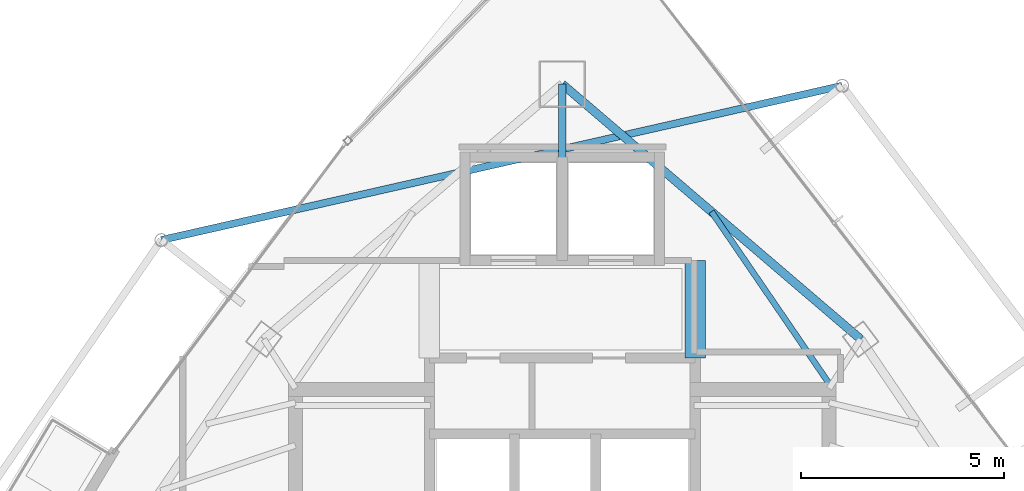
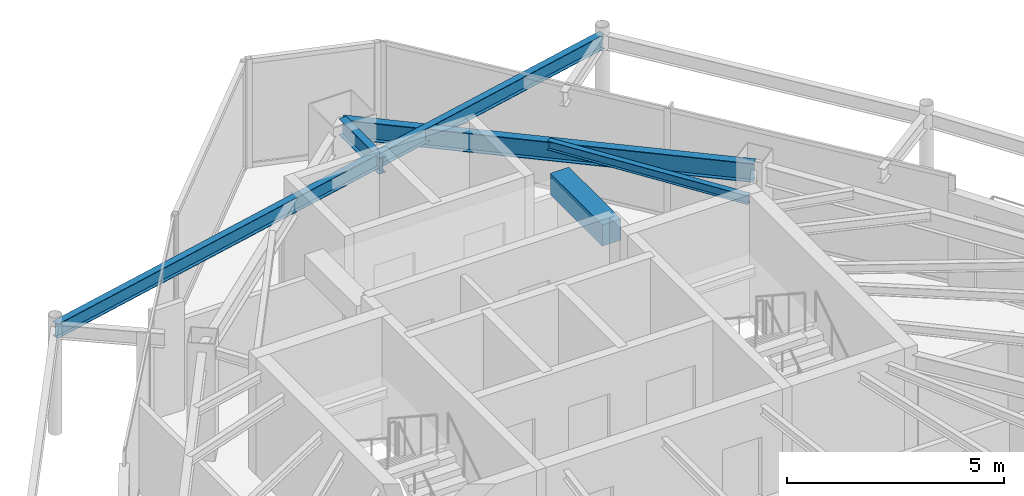
# One storey, part 21 of 28: 5 beams.
"""IFC4 building model written with IfcOpenShell, lengths in metres."""

from ifc_helpers import new_model, si_unit, direction, frame, origin, origin_2d, place, context, subcontext, project, spatial, rectangle, i_section, extrude, material, material_profile, profile_set, type_object, element, save


model = new_model("IFC4")

# Units and contexts
model_context = context("Model", 3, precision=1e-05, world=origin(), true_north=direction((0.0, 1.0)))
body_context = subcontext(model_context, "Body", "Model", "MODEL_VIEW")
ifc_project = project(units=[si_unit("LENGTHUNIT", "METRE"), si_unit("AREAUNIT", "SQUARE_METRE"), si_unit("VOLUMEUNIT", "CUBIC_METRE"), si_unit("PLANEANGLEUNIT", "RADIAN"), si_unit("MASSUNIT", "GRAM", prefix="KILO")], contexts=[model_context])

# Site, building, storey
site_placement = place(None, origin())
site = spatial("IfcSite", under=ifc_project, at=site_placement, CompositionType="ELEMENT")
building_placement = place(site_placement, origin())
building = spatial("IfcBuilding", under=site, at=building_placement, Name="Orvanel Arch Residences", CompositionType="ELEMENT")
storey_placement = place(building_placement, frame((0.0, 0.0, 260.14990234375)))
storey = spatial("IfcBuildingStorey", under=building, at=storey_placement, Name="L74", CompositionType="ELEMENT", Elevation=260.14990234375)

# Beams
ifc_material_1 = material(Name="Structural steel AS/NZS 3679.1 Grade 300 (300 MPa)", Category="steel")
ifc_material_profile_1 = material_profile(ifc_material_1, i_section(OverallWidth=0.19091796875, OverallDepth=0.4599609375, WebThickness=0.010009765625, FlangeThickness=0.01611328125, at=origin_2d()), Name="460UB82.1")
ifc_profile_set_1 = profile_set([ifc_material_profile_1], Name="Structural steel AS/NZS 3679.1 Grade 300 (300 MPa)")
beam_type_1 = type_object("IfcBeamType", Name="BG-460UB", PredefinedType="BEAM", material=ifc_profile_set_1)
beam_1_placement = place(storey_placement, frame((33.0, 39.550048828125, 2.830078125), z_axis=(0.0, 1.0, 0.0), x_axis=(-1.0, 0.0, 0.0)))
element("IfcBeam", 1, at=beam_1_placement, inside=storey, type_object=beam_type_1, Name="L74 North Radial Girder", PredefinedType="BEAM", context=body_context, shape_type="SweptSolid", body=[
    extrude(i_section(OverallWidth=0.19091796875, OverallDepth=0.4599609375, WebThickness=0.010009765625, FlangeThickness=0.01611328125, at=origin_2d()), origin(), (0.0, 0.0, 1.0), 1.847900390625),
])
ifc_material_profile_2 = material_profile(ifc_material_1, i_section(OverallWidth=0.14599609375, OverallDepth=0.251953125, WebThickness=0.006103515625, FlangeThickness=0.008544921875, at=origin_2d()), Name="250UB31.4")
ifc_profile_set_2 = profile_set([ifc_material_profile_2], Name="Structural steel AS/NZS 3679.1 Grade 300 (300 MPa)")
beam_type_2 = type_object("IfcBeamType", Name="BJ-250UB", PredefinedType="JOIST", material=ifc_profile_set_2)
beam_2_placement = place(storey_placement, frame((39.574951171875, 34.02001953125, 2.93408203125), z_axis=(-0.564868085352, 0.825181220188, 0.0), x_axis=(-0.825181220188, -0.564868085352, 0.0)))
element("IfcBeam", 2, at=beam_2_placement, inside=storey, type_object=beam_type_2, Name="L74 NNE2 Wing Floor Joist", PredefinedType="JOIST", context=body_context, shape_type="SweptSolid", body=[
    extrude(i_section(OverallWidth=0.14599609375, OverallDepth=0.251953125, WebThickness=0.006103515625, FlangeThickness=0.008544921875, at=origin_2d()), origin(), (0.0, 0.0, 1.0), 5.132080078125),
])
ifc_material_2 = material(Name="Concrete S65 (65 MPa)", Category="concrete")
ifc_material_profile_3 = material_profile(ifc_material_2, rectangle(XDim=0.5, YDim=0.60009765625, at=origin_2d()), Name="RC500x600")
ifc_profile_set_3 = profile_set([ifc_material_profile_3], Name="Concrete S65 (65 MPa)")
beam_type_3 = type_object("IfcBeamType", Name="CB-500x600", PredefinedType="LINTEL", material=ifc_profile_set_3)
beam_3_placement = place(storey_placement, frame((36.27490234375, 34.64990234375, 2.760009765625), z_axis=(0.0, 1.0, 0.0), x_axis=(-1.0, 0.0, 0.0)))
element("IfcBeam", 3, at=beam_3_placement, inside=storey, type_object=beam_type_3, Name="L74 East Core Lobby Coupling Lintel Beam", PredefinedType="LINTEL", context=body_context, shape_type="SweptSolid", body=[
    extrude(rectangle(XDim=0.5, YDim=0.60009765625, at=origin_2d()), origin(), (0.0, 0.0, 1.0), 2.400146484375),
])
ifc_material_profile_4 = material_profile(ifc_material_1, i_section(OverallWidth=0.177978515625, OverallDepth=0.406005859375, WebThickness=0.0078125, FlangeThickness=0.0126953125, at=origin_2d()), Name="410UB59.7")
ifc_profile_set_4 = profile_set([ifc_material_profile_4], Name="Structural steel AS/NZS 3679.1 Grade 300 (300 MPa)")
beam_type_4 = type_object("IfcBeamType", Name="OB-410UB-EXT", PredefinedType="SPANDREL", material=ifc_profile_set_4)
beam_4_placement = place(storey_placement, frame((39.89697265625, 41.35693359375, 2.857177734375), z_axis=(-0.975286007012, -0.220946157528, 0.0), x_axis=(0.220946157528, -0.975286007012, 0.0)))
element("IfcBeam", 4, at=beam_4_placement, inside=storey, type_object=beam_type_4, Name="L74 Outer Perimeter Floor Ring Beam 12", PredefinedType="SPANDREL", context=body_context, shape_type="SweptSolid", body=[
    extrude(i_section(OverallWidth=0.177978515625, OverallDepth=0.406005859375, WebThickness=0.0078125, FlangeThickness=0.0126953125, at=origin_2d()), origin(), (0.0, 0.0, 1.0), 17.198974609375),
])
ifc_material_profile_5 = material_profile(ifc_material_1, i_section(OverallWidth=0.208984375, OverallDepth=0.532958984375, WebThickness=0.01025390625, FlangeThickness=0.015625, at=origin_2d()), Name="530UB92.4")
ifc_profile_set_5 = profile_set([ifc_material_profile_5], Name="Structural steel AS/NZS 3679.1 Grade 300 (300 MPa)")
beam_type_5 = type_object("IfcBeamType", Name="SP-530UB", PredefinedType="SPANDREL", material=ifc_profile_set_5)
beam_5_placement = place(storey_placement, frame((40.35205078125, 35.113037109375, 2.793212890625), z_axis=(-0.760116518398, 0.649786794617, 0.0), x_axis=(-0.649786794617, -0.760116518398, 0.0)))
element("IfcBeam", 5, at=beam_5_placement, inside=storey, type_object=beam_type_5, Name="L74 Perimeter Spandrel Beam 09", PredefinedType="SPANDREL", context=body_context, shape_type="SweptSolid", body=[
    extrude(i_section(OverallWidth=0.208984375, OverallDepth=0.532958984375, WebThickness=0.01025390625, FlangeThickness=0.015625, at=origin_2d()), origin(), (0.0, 0.0, 1.0), 9.67236328125),
])

save(model, "model.ifc")
